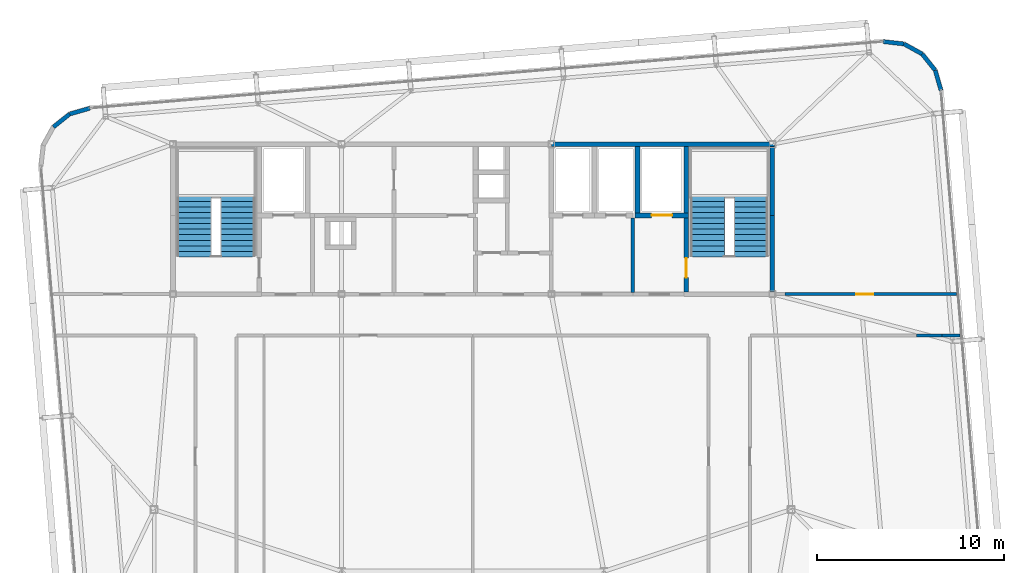
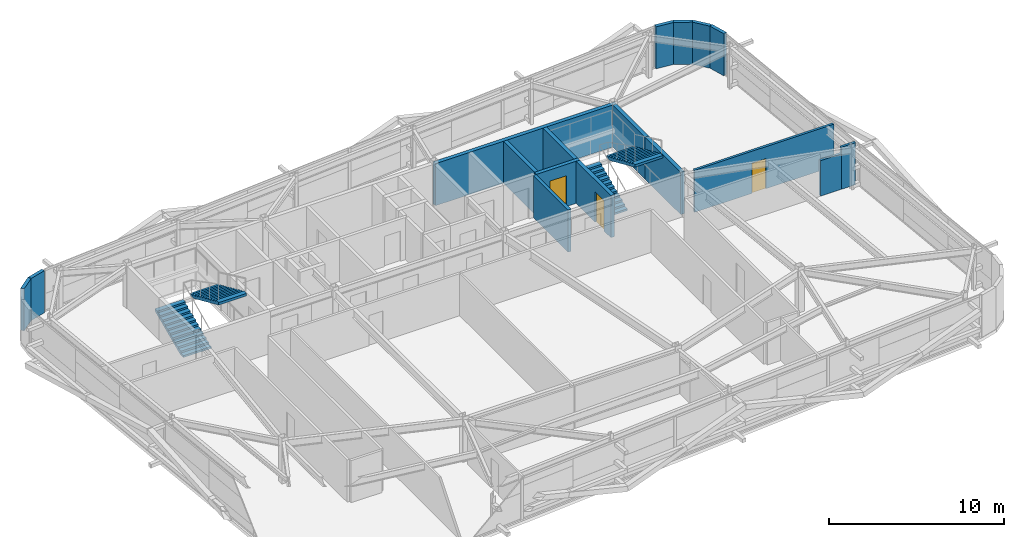
# One storey, part 37 of 39: 17 walls, 4 stair flights, 3 doors, 3 openings, 2 elements without a shape of their own.
"""IFC4 building model written with IfcOpenShell, lengths in metres."""

from ifc_helpers import new_model, si_unit, direction, frame, frame_2d, origin, place, context, subcontext, project, spatial, polyline, rectangle, outline, extrude, source, transform, mapped, material, layer, layer_set, type_object, element, fill, aggregate, save


model = new_model("IFC4")

# Units and contexts
model_context = context("Model", 3, precision=1e-05, world=origin(), true_north=direction((0.0, 1.0)))
body_context = subcontext(model_context, "Body", "Model", "MODEL_VIEW")
ifc_project = project(units=[si_unit("LENGTHUNIT", "METRE"), si_unit("AREAUNIT", "SQUARE_METRE"), si_unit("VOLUMEUNIT", "CUBIC_METRE"), si_unit("PLANEANGLEUNIT", "RADIAN"), si_unit("MASSUNIT", "GRAM", prefix="KILO")], contexts=[model_context])

# Site, building, storey
site_placement = place(None, origin())
site = spatial("IfcSite", under=ifc_project, at=site_placement, CompositionType="ELEMENT")
building_placement = place(site_placement, origin())
building = spatial("IfcBuilding", under=site, at=building_placement, Name="Taldren Reach Tower", CompositionType="ELEMENT")
storey_placement = place(building_placement, frame((0.0, 0.0, 197.75)))
storey = spatial("IfcBuildingStorey", under=building, at=storey_placement, Name="L60", CompositionType="ELEMENT", Elevation=197.75)

# Walls
ifc_material_1 = material(Name="Pale Champagne Anodised Aluminium Cladding", Category="aluminium")
ifc_layer_1 = layer(ifc_material_1, 0.04, Name="Pale Champagne Anodised Aluminium Cladding", Category="aluminium")
ifc_material_2 = material(Name="Mineral Wool Acoustic Insulation", Category="insulation")
ifc_layer_2 = layer(ifc_material_2, 0.06, Name="Mineral Wool Acoustic Insulation", Category="insulation")
ifc_material_3 = material(Name="Steel Gr 350 (C350L0)", Category="steel")
ifc_layer_3 = layer(ifc_material_3, 0.12, Name="Steel Gr 350 (C350L0)", Category="steel")
ifc_layer_set_1 = layer_set([ifc_layer_1, ifc_layer_2, ifc_layer_3], Name="Pale Champagne Aluminium Cladding and Steel Gr 350 Stud Framing")
wall_type_1 = type_object("IfcWallType", Name="EW-CRN-220", PredefinedType="SOLIDWALL", material=ifc_layer_set_1)
shared_shape_1 = source(origin(), body_context, "Body", "SweptSolid", [
    extrude(rectangle(XDim=1.115966796875, YDim=0.219970703125, at=frame_2d((0.55810546875, 0.0))), origin(), (0.0, 0.0, 1.0), 2.929931640625),
])
for number, where, z_axis, x_axis, name in (
    (1, (60.004150390625, 34.870361328125, 0.0), (0.0, 0.0, 1.0), (-0.276512002475, 0.961010464297, 0.0), "Rounded-corner pale-metal facade wall L60-NE1"),
    (2, (59.695556640625, 35.94287109375, 0.0), (0.0, 0.0, 1.0), (-0.623092886403, 0.782147847222, 0.0), "Rounded-corner pale-metal facade wall L60-NE2"),
    (3, (59.000244140625, 36.815673828125, 0.0), (0.0, 0.0, 1.0), (-0.875105012065, 0.483933071672, 0.0), "Rounded-corner pale-metal facade wall L60-NE3"),
    (4, (58.023681640625, 37.355712890625, 0.0), (0.0, 0.0, 1.0), (-0.993657581277, 0.112448259968, 0.0), "Rounded-corner pale-metal facade wall L60-NE4"),
    (5, (14.56396484375, 33.9248046875, 0.0), (0.0, 0.0, 1.0), (-0.961010464297, -0.276512002475, 0.0), "Rounded-corner pale-metal facade wall L60-NW1"),
):
    element("IfcWall", number, at=place(storey_placement, frame(where, z_axis=z_axis, x_axis=x_axis)), inside=storey, type_object=wall_type_1, Name=name, PredefinedType="SOLIDWALL", context=body_context, shape_type="MappedRepresentation", body=[
        mapped(shared_shape_1, transform((0.0, 0.0, 0.0), scale=1.0)),
    ])
shared_shape_2 = source(origin(), body_context, "Body", "SweptSolid", [
    extrude(rectangle(XDim=1.11572265625, YDim=0.219970703125, at=frame_2d((0.557861328125, 0.0))), origin(), (0.0, 0.0, 1.0), 2.929931640625),
])
wall_1_placement = place(storey_placement, frame((13.491455078125, 33.6162109375, 0.0), z_axis=(0.0, 0.0, 1.0), x_axis=(-0.782062884215, -0.623199522732, 0.0)))
element("IfcWall", 6, at=wall_1_placement, inside=storey, type_object=wall_type_1, Name="Rounded-corner pale-metal facade wall L60-NW2", PredefinedType="SOLIDWALL", context=body_context, shape_type="MappedRepresentation", body=[
    mapped(shared_shape_2, transform((0.0, 0.0, 0.0), scale=1.0)),
])
ifc_material_4 = material(Name="Concrete S65 (65 MPa)", Category="concrete")
ifc_layer_4 = layer(ifc_material_4, 0.25)
ifc_layer_set_2 = layer_set([ifc_layer_4], Name="Concrete S65 (65 MPa)")
wall_type_2 = type_object("IfcWallType", Name="IW-CORE-250", PredefinedType="SHEAR", material=ifc_layer_set_2)
shared_shape_3 = source(origin(), body_context, "Body", "SweptSolid", [
    extrude(rectangle(XDim=11.925048828125, YDim=0.25, at=frame_2d((5.96240234375, 0.0))), origin(), (0.0, 0.0, 1.0), 2.929931640625),
])
wall_2_placement = place(storey_placement, frame((39.199951171875, 32.0, 0.0), z_axis=(0.0, 0.0, 1.0), x_axis=(1.0, 0.0, 0.0)))
element("IfcWall", 7, at=wall_2_placement, inside=storey, type_object=wall_type_2, Name="Rear Core Shear Wall W-CORE-L60-NORTH3", PredefinedType="SHEAR", context=body_context, shape_type="MappedRepresentation", body=[
    mapped(shared_shape_3, transform((0.0, 0.0, 0.0), scale=1.0)),
])
shared_shape_4 = source(origin(), body_context, "Body", "SweptSolid", [
    extrude(rectangle(XDim=4.074951171875, YDim=0.25, at=frame_2d((2.03759765625, 0.0))), origin(), (0.0, 0.0, 1.0), 2.929931640625),
])
wall_3_placement = place(storey_placement, frame((51.0, 24.125, 0.0), z_axis=(0.0, 0.0, 1.0), x_axis=(0.0, 1.0, 0.0)))
element("IfcWall", 8, at=wall_3_placement, inside=storey, type_object=wall_type_2, Name="Rear Core Shear Wall W-CORE-L60-EAST1", PredefinedType="SHEAR", context=body_context, shape_type="MappedRepresentation", body=[
    mapped(shared_shape_4, transform((0.0, 0.0, 0.0), scale=1.0)),
])
shared_shape_5 = source(origin(), body_context, "Body", "SweptSolid", [
    extrude(rectangle(XDim=3.675048828125, YDim=0.25, at=frame_2d((1.83740234375, 0.0))), origin(), (0.0, 0.0, 1.0), 2.929931640625),
])
wall_4_placement = place(storey_placement, frame((51.0, 28.199951171875, 0.0), z_axis=(0.0, 0.0, 1.0), x_axis=(0.0, 1.0, 0.0)))
element("IfcWall", 9, at=wall_4_placement, inside=storey, type_object=wall_type_2, Name="Rear Core Shear Wall W-CORE-L60-EAST2", PredefinedType="SHEAR", context=body_context, shape_type="MappedRepresentation", body=[
    mapped(shared_shape_5, transform((0.0, 0.0, 0.0), scale=1.0)),
])
shared_shape_6 = source(origin(), body_context, "Body", "SweptSolid", [
    extrude(rectangle(XDim=3.550048828125, YDim=0.25, at=frame_2d((1.77490234375, 0.0))), origin(), (0.0, 0.0, 1.0), 2.929931640625),
])
for number, where, z_axis, x_axis, name in (
    (10, (46.39990234375, 31.875, 0.0), (0.0, 0.0, 1.0), (0.0, -1.0, 0.0), "Rear Core Shear Wall W-INT-L60-008"),
    (11, (43.800048828125, 31.875, 0.0), (0.0, 0.0, 1.0), (0.0, -1.0, 0.0), "Rear Core Shear Wall W-INT-L60-012"),
):
    element("IfcWall", number, at=place(storey_placement, frame(where, z_axis=z_axis, x_axis=x_axis)), inside=storey, type_object=wall_type_2, Name=name, PredefinedType="SHEAR", context=body_context, shape_type="MappedRepresentation", body=[
        mapped(shared_shape_6, transform((0.0, 0.0, 0.0), scale=1.0)),
    ])

# Wall, opening, door
shared_shape_7 = source(origin(), body_context, "Body", "SweptSolid", [
    extrude(rectangle(XDim=3.949951171875, YDim=0.25, at=frame_2d((1.97509765625, 0.0))), origin(), (0.0, 0.0, 1.0), 2.929931640625),
])
wall_5_placement = place(storey_placement, frame((46.39990234375, 28.074951171875, 0.0), z_axis=(0.0, 0.0, 1.0), x_axis=(0.0, -1.0, 0.0)))
wall_5 = element("IfcWall", 12, at=wall_5_placement, inside=storey, type_object=wall_type_2, Name="Rear Core Shear Wall W-INT-L60-009", PredefinedType="SHEAR", context=body_context, shape_type="MappedRepresentation", body=[
    mapped(shared_shape_7, transform((0.0, 0.0, 0.0), scale=1.0)),
])
shared_shape_8 = source(origin(), body_context, "Body", "SweptSolid", [
    extrude(rectangle(XDim=1.050048828125, YDim=2.10009765625, at=frame_2d((0.52490234375, 1.050048828125))), frame((0.0, 0.135009765625, 0.0), z_axis=(0.0, -1.0, 0.0), x_axis=(1.0, 0.0, 0.0)), (0.0, 0.0, 1.0), 0.27001953125),
])
opening_1_placement = place(wall_5_placement, frame((2.14990234375, 0.0, 0.0)))
opening_1 = element("IfcOpeningElement", 13, at=opening_1_placement, cuts=wall_5, Name="Opening DF-105", PredefinedType="OPENING", context=body_context, shape_type="MappedRepresentation", body=[
    mapped(shared_shape_8, transform((0.0, 0.0, 0.0), scale=1.0)),
])
ifc_material_5 = material(Name="Fire-Rated Care and Stair Exit Door")
door_type_1 = type_object("IfcDoorType", Name="ID-FIRE-105", OperationType="NOTDEFINED", PredefinedType="DOOR", material=ifc_material_5)
shared_shape_9 = source(origin(), body_context, "Body", "SweptSolid", [
    extrude(rectangle(XDim=1.050048828125, YDim=2.10009765625, at=frame_2d((0.52490234375, 1.050048828125))), frame((0.0, 0.02490234375, 0.0), z_axis=(0.0, -1.0, 0.0), x_axis=(1.0, 0.0, 0.0)), (0.0, 0.0, 1.0), 0.050048828125),
])
door_1_placement = place(opening_1_placement, origin())
door_1 = element("IfcDoor", 14, at=door_1_placement, inside=storey, type_object=door_type_1, Name="Fire Exit Stair Door DR-L60-003", OperationType="SINGLE_SWING_RIGHT", OverallHeight=2.10009765625, OverallWidth=1.050048828125, PredefinedType="DOOR", context=body_context, shape_type="MappedRepresentation", body=[
    mapped(shared_shape_9, transform((0.0, 0.0, 0.0), scale=1.0)),
])
fill(opening_1, door_1)

shared_shape_10 = source(origin(), body_context, "Body", "SweptSolid", [
    extrude(rectangle(XDim=2.849853515625, YDim=0.25, at=frame_2d((1.4248046875, 0.0))), origin(), (0.0, 0.0, 1.0), 2.929931640625),
])
wall_6_placement = place(storey_placement, frame((43.675048828125, 28.199951171875, 0.0), z_axis=(0.0, 0.0, 1.0), x_axis=(1.0, 0.0, 0.0)))
wall_6 = element("IfcWall", 15, at=wall_6_placement, inside=storey, type_object=wall_type_2, Name="Rear Core Shear Wall W-INT-L60-011", PredefinedType="SHEAR", context=body_context, shape_type="MappedRepresentation", body=[
    mapped(shared_shape_10, transform((0.0, 0.0, 0.0), scale=1.0)),
])
shared_shape_11 = source(origin(), body_context, "Body", "SweptSolid", [
    extrude(rectangle(XDim=1.10009765625, YDim=2.14990234375, at=frame_2d((0.550048828125, 1.074951171875))), frame((0.0, 0.135009765625, 0.0), z_axis=(0.0, -1.0, 0.0), x_axis=(1.0, 0.0, 0.0)), (0.0, 0.0, 1.0), 0.27001953125),
])
opening_2_placement = place(wall_6_placement, frame((0.875, 0.0, 0.0)))
opening_2 = element("IfcOpeningElement", 16, at=opening_2_placement, cuts=wall_6, Name="Opening LD-FL2", PredefinedType="OPENING", context=body_context, shape_type="MappedRepresentation", body=[
    mapped(shared_shape_11, transform((0.0, 0.0, 0.0), scale=1.0)),
])
ifc_material_6 = material(Name="Stainless Steel Gr 316 Emergency Lift Landing Door", Category="steel")
door_type_2 = type_object("IfcDoorType", Name="LD-EMG-110", OperationType="SLIDING_TO_LEFT", PredefinedType="DOOR", material=ifc_material_6)
shared_shape_12 = source(origin(), body_context, "Body", "SweptSolid", [
    extrude(rectangle(XDim=1.10009765625, YDim=2.14990234375, at=frame_2d((0.550048828125, 1.074951171875))), frame((0.0, 0.02490234375, 0.0), z_axis=(0.0, -1.0, 0.0), x_axis=(1.0, 0.0, 0.0)), (0.0, 0.0, 1.0), 0.050048828125),
])
door_2_placement = place(opening_2_placement, origin())
door_2 = element("IfcDoor", 17, at=door_2_placement, inside=storey, type_object=door_type_2, Name="Lift Landing Door LD-FL2-L60", OperationType="SLIDING_TO_LEFT", OverallHeight=2.14990234375, OverallWidth=1.10009765625, PredefinedType="DOOR", context=body_context, shape_type="MappedRepresentation", body=[
    mapped(shared_shape_12, transform((0.0, 0.0, 0.0), scale=1.0)),
])
fill(opening_2, door_2)

# Wall
ifc_material_7 = material(Name="Concrete S50 (50 MPa)", Category="concrete")
ifc_layer_5 = layer(ifc_material_7, 0.199951171875)
ifc_layer_set_3 = layer_set([ifc_layer_5], Name="Concrete S50 (50 MPa)")
wall_type_3 = type_object("IfcWallType", Name="IW-CORE-200", PredefinedType="SOLIDWALL", material=ifc_layer_set_3)
shared_shape_13 = source(origin(), body_context, "Body", "SweptSolid", [
    extrude(rectangle(XDim=3.974853515625, YDim=0.199951171875, at=frame_2d((1.9873046875, 0.0))), origin(), (0.0, 0.0, 1.0), 2.929931640625),
])
wall_7_placement = place(storey_placement, frame((43.550048828125, 28.074951171875, 0.0), z_axis=(0.0, 0.0, 1.0), x_axis=(0.0, -1.0, 0.0)))
element("IfcWall", 18, at=wall_7_placement, inside=storey, type_object=wall_type_3, Name="Rear Core Shear Wall W-INT-L60-013", PredefinedType="SOLIDWALL", context=body_context, shape_type="MappedRepresentation", body=[
    mapped(shared_shape_13, transform((0.0, 0.0, 0.0), scale=1.0)),
])

# Wall, opening, door
ifc_material_8 = material(Name="Fire-Rated Acoustic Plasterboard Stud Wall", Category="gypsum")
ifc_layer_6 = layer(ifc_material_8, 0.159912109375)
ifc_layer_set_4 = layer_set([ifc_layer_6], Name="Fire-Rated Acoustic Plasterboard Stud Wall")
wall_type_4 = type_object("IfcWallType", Name="IW-FIRE-160", PredefinedType="PARTITIONING", material=ifc_layer_set_4)
shared_shape_14 = source(origin(), body_context, "Body", "SweptSolid", [
    extrude(rectangle(XDim=9.15283203125, YDim=0.159912109375, at=frame_2d((4.576416015625, 0.0))), origin(), (0.0, 0.0, 1.0), 2.929931640625),
])
wall_8_placement = place(storey_placement, frame((51.6806640625, 24.0, 0.0), z_axis=(0.0, 0.0, 1.0), x_axis=(1.0, 0.0, 0.0)))
wall_8 = element("IfcWall", 19, at=wall_8_placement, inside=storey, type_object=wall_type_4, Name="Interior Partition Wall W-INT-L60-052 part 2", PredefinedType="PARTITIONING", context=body_context, shape_type="MappedRepresentation", body=[
    mapped(shared_shape_14, transform((0.0, 0.0, 0.0), scale=1.0)),
])
shared_shape_15 = source(origin(), body_context, "Body", "SweptSolid", [
    extrude(rectangle(XDim=0.919921875, YDim=2.10009765625, at=frame_2d((0.4599609375, 1.050048828125))), frame((0.0, 0.08984375, 0.0), z_axis=(0.0, -1.0, 0.0), x_axis=(1.0, 0.0, 0.0)), (0.0, 0.0, 1.0), 0.179931640625),
])
opening_3_placement = place(wall_8_placement, frame((3.7861328125, 0.0, 0.0)))
opening_3 = element("IfcOpeningElement", 20, at=opening_3_placement, cuts=wall_8, Name="Opening DI-092", PredefinedType="OPENING", context=body_context, shape_type="MappedRepresentation", body=[
    mapped(shared_shape_15, transform((0.0, 0.0, 0.0), scale=1.0)),
])
ifc_material_9 = material(Name="Solid-Core Timber Suite Door", Category="wood")
door_type_3 = type_object("IfcDoorType", Name="ID-INT-092", OperationType="NOTDEFINED", PredefinedType="DOOR", material=ifc_material_9)
shared_shape_16 = source(origin(), body_context, "Body", "SweptSolid", [
    extrude(rectangle(XDim=0.919921875, YDim=2.10009765625, at=frame_2d((0.4599609375, 1.050048828125))), frame((0.0, 0.02490234375, 0.0), z_axis=(0.0, -1.0, 0.0), x_axis=(1.0, 0.0, 0.0)), (0.0, 0.0, 1.0), 0.050048828125),
])
door_3_placement = place(opening_3_placement, origin())
door_3 = element("IfcDoor", 21, at=door_3_placement, inside=storey, type_object=door_type_3, Name="Interior Door DR-L60-016", OperationType="SINGLE_SWING_LEFT", OverallHeight=2.10009765625, OverallWidth=0.919921875, PredefinedType="DOOR", context=body_context, shape_type="MappedRepresentation", body=[
    mapped(shared_shape_16, transform((0.0, 0.0, 0.0), scale=1.0)),
])
fill(opening_3, door_3)

# Walls
shared_shape_17 = source(origin(), body_context, "Body", "SweptSolid", [
    extrude(rectangle(XDim=0.9453125, YDim=0.159912109375, at=frame_2d((0.47265625, 0.0))), origin(), (0.0, 0.0, 1.0), 2.929931640625),
])
wall_9_placement = place(storey_placement, frame((61.004638671875, 21.800048828125, 0.0), z_axis=(0.0, 0.0, 1.0), x_axis=(-1.0, 0.0, 0.0)))
element("IfcWall", 22, at=wall_9_placement, inside=storey, type_object=wall_type_4, Name="Interior Partition Wall W-INT-L60-057", PredefinedType="PARTITIONING", context=body_context, shape_type="MappedRepresentation", body=[
    mapped(shared_shape_17, transform((0.0, 0.0, 0.0), scale=1.0)),
])
shared_shape_18 = source(origin(), body_context, "Body", "SweptSolid", [
    extrude(rectangle(XDim=1.361328125, YDim=0.159912109375, at=frame_2d((0.6806640625, 0.0))), origin(), (0.0, 0.0, 1.0), 2.469970703125),
])
wall_10_placement = place(storey_placement, frame((60.059326171875, 21.800048828125, 0.0), z_axis=(0.0, 0.0, 1.0), x_axis=(-1.0, 0.0, 0.0)))
element("IfcWall", 23, at=wall_10_placement, inside=storey, type_object=wall_type_4, Name="Interior Partition Wall W-INT-L60-057 part 2", PredefinedType="PARTITIONING", context=body_context, shape_type="MappedRepresentation", body=[
    mapped(shared_shape_18, transform((0.0, 0.0, 0.0), scale=1.0)),
])

# Stair, stair flights
stair_type = type_object("IfcStairType", Name="ST-HT-315", PredefinedType="HALF_TURN_STAIR", material=ifc_material_7)
stair_1_placement = place(storey_placement, origin())
stair_1 = element("IfcStair", 24, at=stair_1_placement, inside=storey, type_object=stair_type, Name="Fire-isolated exit stair ST1 L60", PredefinedType="HALF_TURN_STAIR")
stair_flight_type = type_object("IfcStairFlightType", Name="SF-STR-315", PredefinedType="STRAIGHT", material=ifc_material_7)
stair_flight_1_placement = place(storey_placement, frame((20.139892578125, 25.989990234375, 0.0), z_axis=(0.0, 0.0, 1.0), x_axis=(0.0, 1.0, 0.0)))
stair_flight_1 = element("IfcStairFlight", 25, at=stair_flight_1_placement, type_object=stair_flight_type, Name="ST1 flight 1", NumberOfRisers=12, NumberOfTreads=11, PredefinedType="STRAIGHT", RiserHeight=0.13125, TreadLength=0.295, context=body_context, shape_type="SweptSolid", body=[
    extrude(outline(polyline([(0.0, 0.0), (0.0, 0.13134765625), (0.294921875, 0.13134765625), (0.294921875, 0.262451171875), (0.590087890625, 0.262451171875), (0.590087890625, 0.393798828125), (0.885009765625, 0.393798828125), (0.885009765625, 0.52490234375), (1.179931640625, 0.52490234375), (1.179931640625, 0.65625), (1.47509765625, 0.65625), (1.47509765625, 0.78759765625), (1.77001953125, 0.78759765625), (1.77001953125, 0.918701171875), (2.06494140625, 0.918701171875), (2.06494140625, 1.050048828125), (2.360107421875, 1.050048828125), (2.360107421875, 1.18115234375), (2.655029296875, 1.18115234375), (2.655029296875, 1.3125), (2.949951171875, 1.3125), (2.949951171875, 1.44384765625), (3.2451171875, 1.44384765625), (3.2451171875, 1.574951171875), (3.2451171875, 1.268798828125), (0.393310546875, 0.0), (0.0, 0.0)])), frame((0.0, 0.919921875, 0.0), z_axis=(0.0, -1.0, 0.0), x_axis=(1.0, 0.0, 0.0)), (0.0, 0.0, 1.0), 1.840087890625),
])
stair_flight_2_placement = place(storey_placement, frame((22.4599609375, 29.235107421875, 1.574951171875), z_axis=(0.0, 0.0, 1.0), x_axis=(0.0, -1.0, 0.0)))
stair_flight_2 = element("IfcStairFlight", 26, at=stair_flight_2_placement, type_object=stair_flight_type, Name="ST1 flight 2", NumberOfRisers=12, NumberOfTreads=11, PredefinedType="STRAIGHT", RiserHeight=0.13125, TreadLength=0.295, context=body_context, shape_type="SweptSolid", body=[
    extrude(outline(polyline([(0.0, 0.0), (0.0, 0.13134765625), (0.294921875, 0.13134765625), (0.294921875, 0.262451171875), (0.590087890625, 0.262451171875), (0.590087890625, 0.393798828125), (0.885009765625, 0.393798828125), (0.885009765625, 0.52490234375), (1.179931640625, 0.52490234375), (1.179931640625, 0.65625), (1.47509765625, 0.65625), (1.47509765625, 0.78759765625), (1.77001953125, 0.78759765625), (1.77001953125, 0.918701171875), (2.06494140625, 0.918701171875), (2.06494140625, 1.050048828125), (2.360107421875, 1.050048828125), (2.360107421875, 1.18115234375), (2.655029296875, 1.18115234375), (2.655029296875, 1.3125), (2.949951171875, 1.3125), (2.949951171875, 1.44384765625), (3.2451171875, 1.44384765625), (3.2451171875, 1.574951171875), (3.2451171875, 1.268798828125), (0.393310546875, 0.0), (0.0, 0.0)])), frame((0.0, 0.919921875, 0.0), z_axis=(0.0, -1.0, 0.0), x_axis=(1.0, 0.0, 0.0)), (0.0, 0.0, 1.0), 1.840087890625),
])
aggregate(stair_1, [stair_flight_1, stair_flight_2])

stair_2_placement = place(storey_placement, origin())
stair_2 = element("IfcStair", 27, at=stair_2_placement, inside=storey, type_object=stair_type, Name="Fire-isolated exit stair ST2 L60", PredefinedType="HALF_TURN_STAIR")
stair_flight_3_placement = place(storey_placement, frame((47.5400390625, 25.989990234375, 0.0), z_axis=(0.0, 0.0, 1.0), x_axis=(0.0, 1.0, 0.0)))
stair_flight_3 = element("IfcStairFlight", 28, at=stair_flight_3_placement, type_object=stair_flight_type, Name="ST2 flight 1", NumberOfRisers=12, NumberOfTreads=11, PredefinedType="STRAIGHT", RiserHeight=0.13125, TreadLength=0.295, context=body_context, shape_type="SweptSolid", body=[
    extrude(outline(polyline([(0.0, 0.0), (0.0, 0.13134765625), (0.294921875, 0.13134765625), (0.294921875, 0.262451171875), (0.590087890625, 0.262451171875), (0.590087890625, 0.393798828125), (0.885009765625, 0.393798828125), (0.885009765625, 0.52490234375), (1.179931640625, 0.52490234375), (1.179931640625, 0.65625), (1.47509765625, 0.65625), (1.47509765625, 0.78759765625), (1.77001953125, 0.78759765625), (1.77001953125, 0.918701171875), (2.06494140625, 0.918701171875), (2.06494140625, 1.050048828125), (2.360107421875, 1.050048828125), (2.360107421875, 1.18115234375), (2.655029296875, 1.18115234375), (2.655029296875, 1.3125), (2.949951171875, 1.3125), (2.949951171875, 1.44384765625), (3.2451171875, 1.44384765625), (3.2451171875, 1.574951171875), (3.2451171875, 1.268798828125), (0.393310546875, 0.0), (0.0, 0.0)])), frame((0.0, 0.919921875, 0.0), z_axis=(0.0, -1.0, 0.0), x_axis=(1.0, 0.0, 0.0)), (0.0, 0.0, 1.0), 1.840087890625),
])
stair_flight_4_placement = place(storey_placement, frame((49.860107421875, 29.235107421875, 1.574951171875), z_axis=(0.0, 0.0, 1.0), x_axis=(0.0, -1.0, 0.0)))
stair_flight_4 = element("IfcStairFlight", 29, at=stair_flight_4_placement, type_object=stair_flight_type, Name="ST2 flight 2", NumberOfRisers=12, NumberOfTreads=11, PredefinedType="STRAIGHT", RiserHeight=0.13125, TreadLength=0.295, context=body_context, shape_type="SweptSolid", body=[
    extrude(outline(polyline([(0.0, 0.0), (0.0, 0.13134765625), (0.294921875, 0.13134765625), (0.294921875, 0.262451171875), (0.590087890625, 0.262451171875), (0.590087890625, 0.393798828125), (0.885009765625, 0.393798828125), (0.885009765625, 0.52490234375), (1.179931640625, 0.52490234375), (1.179931640625, 0.65625), (1.47509765625, 0.65625), (1.47509765625, 0.78759765625), (1.77001953125, 0.78759765625), (1.77001953125, 0.918701171875), (2.06494140625, 0.918701171875), (2.06494140625, 1.050048828125), (2.360107421875, 1.050048828125), (2.360107421875, 1.18115234375), (2.655029296875, 1.18115234375), (2.655029296875, 1.3125), (2.949951171875, 1.3125), (2.949951171875, 1.44384765625), (3.2451171875, 1.44384765625), (3.2451171875, 1.574951171875), (3.2451171875, 1.268798828125), (0.393310546875, 0.0), (0.0, 0.0)])), frame((0.0, 0.919921875, 0.0), z_axis=(0.0, -1.0, 0.0), x_axis=(1.0, 0.0, 0.0)), (0.0, 0.0, 1.0), 1.840087890625),
])
aggregate(stair_2, [stair_flight_3, stair_flight_4])

save(model, "model.ifc")
